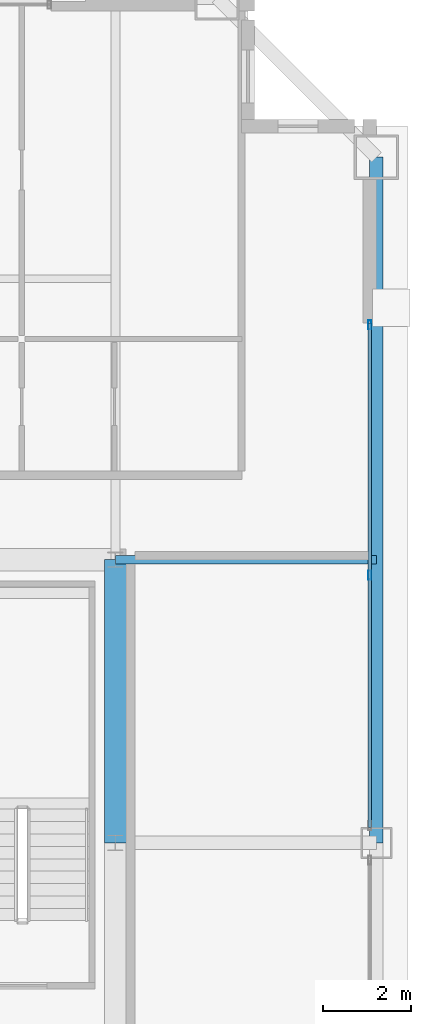
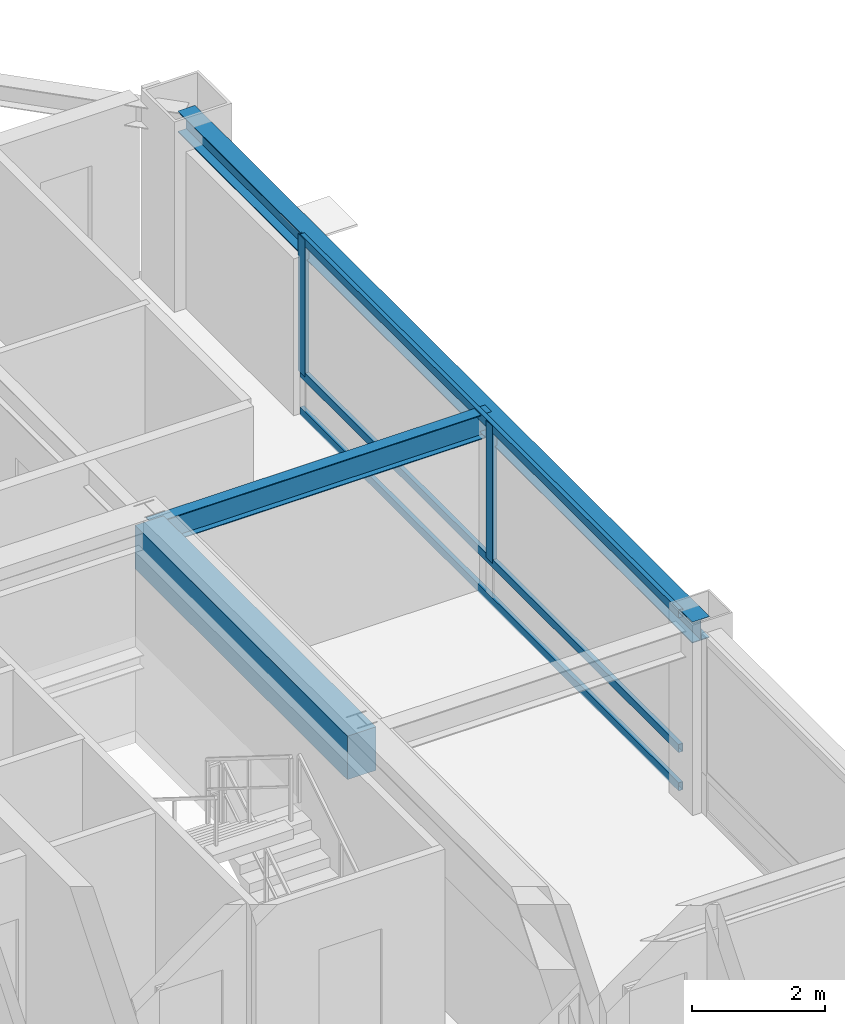
# One storey, part 15 of 35: 5 members, 3 beams, 1 element without a shape of its own.
"""IFC4 building model written with IfcOpenShell, lengths in metres."""

from ifc_helpers import new_model, si_unit, direction, frame, origin, origin_2d, place, context, subcontext, project, spatial, rectangle, hollow_rectangle, i_section, extrude, source, transform, mapped, material, layer, layer_set, material_profile, profile_set, type_object, element, aggregate, save


model = new_model("IFC4")

# Units and contexts
model_context = context("Model", 3, precision=1e-05, world=origin(), true_north=direction((0.0, 1.0)))
body_context = subcontext(model_context, "Body", "Model", "MODEL_VIEW")
ifc_project = project(units=[si_unit("LENGTHUNIT", "METRE"), si_unit("AREAUNIT", "SQUARE_METRE"), si_unit("VOLUMEUNIT", "CUBIC_METRE"), si_unit("PLANEANGLEUNIT", "RADIAN"), si_unit("MASSUNIT", "GRAM", prefix="KILO"), si_unit("THERMODYNAMICTEMPERATUREUNIT", "KELVIN"), si_unit("POWERUNIT", "WATT")], contexts=[model_context])

# Site, building, storey
site_placement = place(None, origin())
site = spatial("IfcSite", under=ifc_project, at=site_placement, CompositionType="ELEMENT")
building_placement = place(site_placement, origin())
building = spatial("IfcBuilding", under=site, at=building_placement, Name="Yuzanri Waterfront Tower", CompositionType="ELEMENT")
storey_placement = place(building_placement, frame((0.0, 0.0, 311.199951171875)))
storey = spatial("IfcBuildingStorey", under=building, at=storey_placement, Name="L83", CompositionType="ELEMENT", Elevation=311.199951171875)

# Beams
ifc_material_1 = material(Name="Concrete C50", Category="concrete")
ifc_material_profile_1 = material_profile(ifc_material_1, rectangle(XDim=0.5, YDim=0.800048828125, at=origin_2d()), Name="RC 500x800")
ifc_profile_set_1 = profile_set([ifc_material_profile_1], Name="Concrete C50")
beam_type_1 = type_object("IfcBeamType", Name="Core Coupling Lintel Concrete C50 500x800", PredefinedType="LINTEL", material=ifc_profile_set_1)
shared_shape_1 = source(origin(), body_context, "Body", "SweptSolid", [
    extrude(rectangle(XDim=0.5, YDim=0.800048828125, at=origin_2d()), origin(), (0.0, 0.0, 1.0), 6.39990234375),
])
beam_1_placement = place(storey_placement, frame((50.199951171875, 25.800048828125, 2.880126953125), z_axis=(0.0, 1.0, 0.0), x_axis=(-1.0, 0.0, 0.0)))
element("IfcBeam", 1, at=beam_1_placement, inside=storey, type_object=beam_type_1, Name="L83 Core Tie Beam CE2", PredefinedType="LINTEL", context=body_context, shape_type="MappedRepresentation", body=[
    mapped(shared_shape_1, transform((0.0, 0.0, 0.0), scale=1.0)),
])
ifc_material_2 = material(Name="Steel Q355B", Category="steel")
ifc_material_profile_2 = material_profile(ifc_material_2, i_section(OverallWidth=0.300048828125, OverallDepth=0.389892578125, WebThickness=0.010009765625, FlangeThickness=0.01611328125, at=origin_2d()), Name="HM 390x300x10x16")
ifc_profile_set_2 = profile_set([ifc_material_profile_2], Name="Steel Q355B")
beam_type_2 = type_object("IfcBeamType", Name="Perimeter Spandrel Q355B HM 390x300", PredefinedType="SPANDREL", material=ifc_profile_set_2)
shared_shape_2 = source(origin(), body_context, "Body", "SweptSolid", [
    extrude(i_section(OverallWidth=0.300048828125, OverallDepth=0.389892578125, WebThickness=0.010009765625, FlangeThickness=0.01611328125, at=origin_2d()), origin(), (0.0, 0.0, 1.0), 15.5),
])
beam_2_placement = place(storey_placement, frame((56.10009765625, 25.800048828125, 3.0849609375), z_axis=(0.0, 1.0, 0.0), x_axis=(-1.0, 0.0, 0.0)))
element("IfcBeam", 2, at=beam_2_placement, inside=storey, type_object=beam_type_2, Name="L83 Perimeter Spandrel E2-E3", PredefinedType="SPANDREL", context=body_context, shape_type="MappedRepresentation", body=[
    mapped(shared_shape_2, transform((0.0, 0.0, 0.0), scale=1.0)),
])
ifc_material_3 = material(Name="Steel Q355B", Category="steel")
ifc_material_profile_3 = material_profile(ifc_material_3, i_section(OverallWidth=0.199951171875, OverallDepth=0.449951171875, WebThickness=0.009033203125, FlangeThickness=0.013916015625, at=origin_2d()), Name="HN 450x200x9x14")
ifc_profile_set_3 = profile_set([ifc_material_profile_3], Name="Steel Q355B")
beam_type_3 = type_object("IfcBeamType", Name="Secondary Floor Beam Q355B HN 450x200", PredefinedType="BEAM", material=ifc_profile_set_3)
shared_shape_3 = source(origin(), body_context, "Body", "SweptSolid", [
    extrude(i_section(OverallWidth=0.199951171875, OverallDepth=0.449951171875, WebThickness=0.009033203125, FlangeThickness=0.013916015625, at=origin_2d()), origin(), (0.0, 0.0, 1.0), 5.900146484375),
])
beam_3_placement = place(storey_placement, frame((50.199951171875, 32.199951171875, 3.054931640625), z_axis=(1.0, 0.0, 0.0), x_axis=(0.0, 1.0, 0.0)))
element("IfcBeam", 3, at=beam_3_placement, inside=storey, type_object=beam_type_3, Name="L83 East-North Core Line Beam", PredefinedType="BEAM", context=body_context, shape_type="MappedRepresentation", body=[
    mapped(shared_shape_3, transform((0.0, 0.0, 0.0), scale=1.0)),
])

# Curtain wall, members
ifc_material_4 = material(Name="Anodized Architectural Bronze", Category="metal")
ifc_layer = layer(ifc_material_4, 0.159912109375)
ifc_layer_set = layer_set([ifc_layer], Name="Anodized Architectural Bronze")
curtain_wall_type = type_object("IfcCurtainWallType", Name="Anodized Bronze High-Rise Penthouse High-Wind Unitized Curtain Wall 6900", PredefinedType="NOTDEFINED", material=ifc_layer_set)
curtain_wall_placement = place(storey_placement, origin())
curtain_wall = element("IfcCurtainWall", 4, at=curtain_wall_placement, inside=storey, type_object=curtain_wall_type, Name="L83 Curtain Wall CW-L83-ER", PredefinedType="NOTDEFINED")
ifc_material_5 = material(Name="Anodized Architectural Bronze", Category="metal")
ifc_material_profile_4 = material_profile(ifc_material_5, hollow_rectangle(XDim=0.074951171875, YDim=0.199951171875, WallThickness=0.00390625, at=origin_2d()), Name="CWM 75x200")
ifc_profile_set_4 = profile_set([ifc_material_profile_4], Name="Anodized Architectural Bronze")
member_type_1 = type_object("IfcMemberType", Name="Anodized Bronze Primary Curtain-Wall Mullion 75x200", PredefinedType="MULLION", material=ifc_profile_set_4)
shared_shape_4 = source(origin(), body_context, "Body", "SweptSolid", [
    extrude(hollow_rectangle(XDim=0.074951171875, YDim=0.199951171875, WallThickness=0.00390625, at=origin_2d()), origin(), (0.0, 0.0, 1.0), 2.52392578125),
])
member_1_placement = place(storey_placement, frame((55.949951171875, 31.85009765625, 0.756103515625), z_axis=(0.0, 0.0, 1.0), x_axis=(1.0, 0.0, 0.0)))
member_1 = element("IfcMember", 5, at=member_1_placement, type_object=member_type_1, Name="CW-L83-ER Upper Mullion 01", PredefinedType="MULLION", context=body_context, shape_type="MappedRepresentation", body=[
    mapped(shared_shape_4, transform((0.0, 0.0, 0.0), scale=1.0)),
])
member_2_placement = place(storey_placement, frame((55.949951171875, 37.510009765625, 0.756103515625), z_axis=(0.0, 0.0, 1.0), x_axis=(1.0, 0.0, 0.0)))
member_2 = element("IfcMember", 6, at=member_2_placement, type_object=member_type_1, Name="CW-L83-ER Upper Mullion 02", PredefinedType="MULLION", context=body_context, shape_type="MappedRepresentation", body=[
    mapped(shared_shape_4, transform((0.0, 0.0, 0.0), scale=1.0)),
])
ifc_material_6 = material(Name="Anodized Architectural Bronze", Category="metal")
ifc_material_profile_5 = material_profile(ifc_material_6, hollow_rectangle(XDim=0.074951171875, YDim=0.14990234375, WallThickness=0.00390625, at=origin_2d()), Name="CWT 75x150")
ifc_profile_set_5 = profile_set([ifc_material_profile_5], Name="Anodized Architectural Bronze")
member_type_2 = type_object("IfcMemberType", Name="Anodized Bronze Primary Curtain-Wall Transom 75x150", PredefinedType="USERDEFINED", material=ifc_profile_set_5)
shared_shape_5 = source(origin(), body_context, "Body", "SweptSolid", [
    extrude(hollow_rectangle(XDim=0.074951171875, YDim=0.14990234375, WallThickness=0.00390625, at=origin_2d()), origin(), (0.0, 0.0, 1.0), 11.400146484375),
])
member_3_placement = place(storey_placement, frame((55.949951171875, 26.14990234375, 0.050048828125), z_axis=(0.0, 1.0, 0.0), x_axis=(-1.0, 0.0, 0.0)))
member_3 = element("IfcMember", 7, at=member_3_placement, type_object=member_type_2, Name="CW-L83-ER Transom 1", ObjectType="TRANSOM", PredefinedType="USERDEFINED", context=body_context, shape_type="MappedRepresentation", body=[
    mapped(shared_shape_5, transform((0.0, 0.0, 0.0), scale=1.0)),
])
member_4_placement = place(storey_placement, frame((55.949951171875, 26.14990234375, 0.754150390625), z_axis=(0.0, 1.0, 0.0), x_axis=(-1.0, 0.0, 0.0)))
member_4 = element("IfcMember", 8, at=member_4_placement, type_object=member_type_2, Name="CW-L83-ER Transom 2", ObjectType="TRANSOM", PredefinedType="USERDEFINED", context=body_context, shape_type="MappedRepresentation", body=[
    mapped(shared_shape_5, transform((0.0, 0.0, 0.0), scale=1.0)),
])
member_5_placement = place(storey_placement, frame((55.949951171875, 26.14990234375, 3.22998046875), z_axis=(0.0, 1.0, 0.0), x_axis=(-1.0, 0.0, 0.0)))
member_5 = element("IfcMember", 9, at=member_5_placement, type_object=member_type_2, Name="CW-L83-ER Transom 3", ObjectType="TRANSOM", PredefinedType="USERDEFINED", context=body_context, shape_type="MappedRepresentation", body=[
    mapped(shared_shape_5, transform((0.0, 0.0, 0.0), scale=1.0)),
])
aggregate(curtain_wall, [member_1, member_2, member_3, member_4, member_5])

save(model, "model.ifc")
